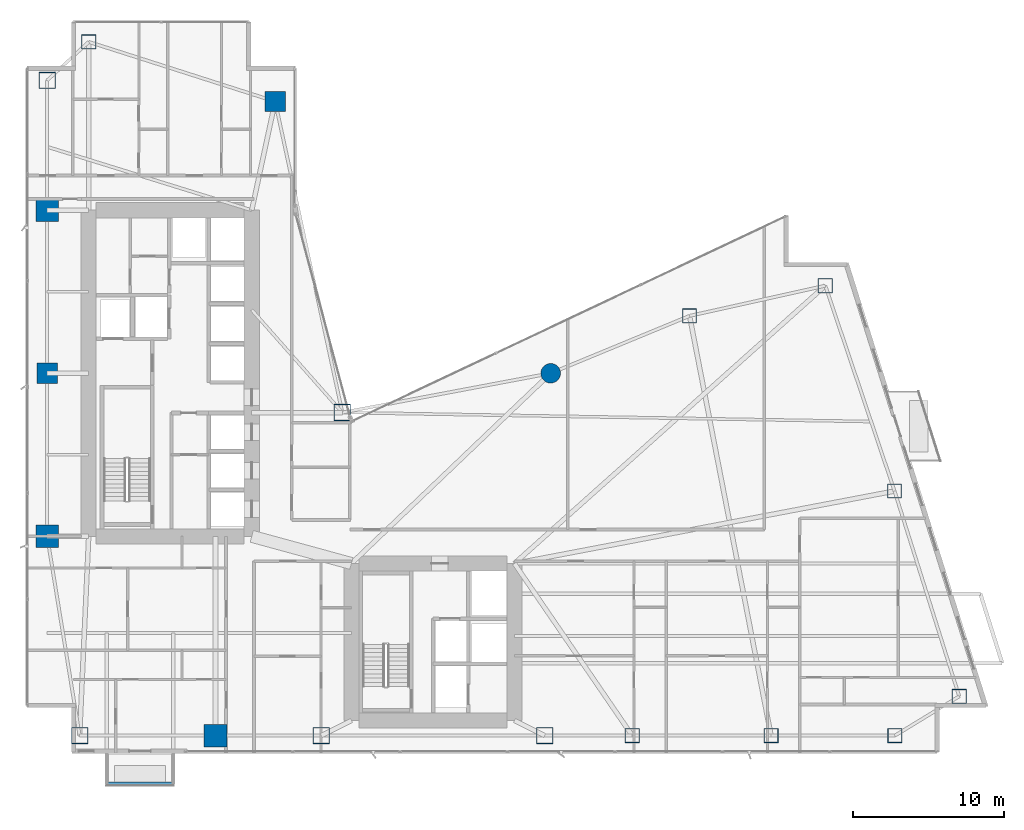
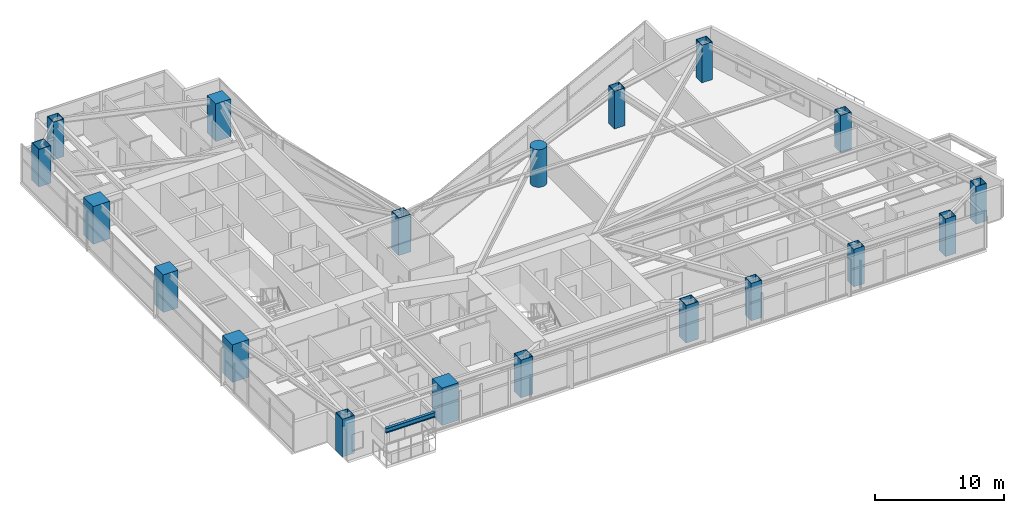
# One storey, part 1 of 29: 19 columns, 1 beam.
"""IFC4 building model written with IfcOpenShell, lengths in metres."""

import ifcopenshell
import ifcopenshell.guid

model = None  # the IFC model being written
_history = None  # IfcOwnerHistory: only IFC2X3 demands one
_inside = {}  # id of a spatial element -> (the spatial element, [elements in it])
_under = {}  # id of a project, library or spatial element -> (it, [spatial elements below it])
_declared = {}  # id of a project -> (the project, [libraries it declares])
_typed = {}  # id of a type object -> (the type object, [elements of that type])
_made_of = {}  # id of a material, layer set ... -> (it, [elements and type objects made of it])


def new_model(schema):
    """Start an empty IFC model of exactly this schema.

    Asked for "IFC4X3", IfcOpenShell would pick the latest addendum, in which some entities
    have other attributes; the version numbers below select the first issue.
    IFC2X3 requires an IfcOwnerHistory on every rooted entity: one is made here for all.
    """
    global model, _history
    if schema == "IFC4X3":
        model = ifcopenshell.file(schema_version=(4, 3, 0, 0))
    else:
        model = ifcopenshell.file(schema=schema)
    _inside.clear()
    _under.clear()
    _declared.clear()
    _typed.clear()
    _made_of.clear()
    _history = None
    if model.schema == "IFC2X3":
        org = make("IfcOrganization", Name="unknown")
        user = make(
            "IfcPersonAndOrganization",
            ThePerson=make("IfcPerson", FamilyName="unknown"),
            TheOrganization=org,
        )
        app = make(
            "IfcApplication",
            ApplicationDeveloper=org,
            Version="unknown",
            ApplicationFullName="unknown",
            ApplicationIdentifier="unknown",
        )
        _history = make(
            "IfcOwnerHistory",
            OwningUser=user,
            OwningApplication=app,
            ChangeAction="ADDED",
            CreationDate=0,
        )
    return model


def make(cls, **values):
    """One entity of the class cls with the attributes given. An attribute that is None is left unset."""
    return model.create_entity(
        cls, **{name: value for name, value in values.items() if value is not None}
    )


def rooted(cls, **values):
    """An entity with a GlobalId (a new one), such as an element, a storey or a relation."""
    return make(cls, GlobalId=ifcopenshell.guid.new(), OwnerHistory=_history, **values)


def si_unit(unit_type, name, prefix=None):
    """IfcSIUnit, for example si_unit("LENGTHUNIT", "METRE", prefix="MILLI")."""
    return make("IfcSIUnit", UnitType=unit_type, Prefix=prefix, Name=name)


def assignment(units):
    """IfcUnitAssignment: the units of a project."""
    return None if units is None else make("IfcUnitAssignment", Units=units)


def point(xyz):
    """IfcCartesianPoint."""
    return None if xyz is None else make("IfcCartesianPoint", Coordinates=xyz)


def direction(xyz):
    """IfcDirection."""
    return None if xyz is None else make("IfcDirection", DirectionRatios=xyz)


def frame(location, z_axis=None, x_axis=None):
    """IfcAxis2Placement3D, a coordinate frame: its origin and axes. An axis left out is left unset."""
    return make(
        "IfcAxis2Placement3D",
        Location=point(location),
        Axis=direction(z_axis),
        RefDirection=direction(x_axis),
    )


def frame_2d(location, x_axis=None):
    """IfcAxis2Placement2D, a coordinate frame in the plane: its origin and x axis."""
    return make(
        "IfcAxis2Placement2D", Location=point(location), RefDirection=direction(x_axis)
    )


def origin():
    """The frame at (0, 0, 0) with its axes left unset."""
    return frame((0.0, 0.0, 0.0))


def origin_2d():
    """The frame at (0, 0) in the plane with its x axis left unset."""
    return frame_2d((0.0, 0.0))


def place(relative_to, where):
    """IfcLocalPlacement: puts the frame where relative to a parent placement (None: the world)."""
    return make(
        "IfcLocalPlacement", PlacementRelTo=relative_to, RelativePlacement=where
    )


def context(
    kind, dimensions, precision=None, world=None, true_north=None, identifier=None
):
    """IfcGeometricRepresentationContext, for example the 3D "Model" context."""
    return make(
        "IfcGeometricRepresentationContext",
        ContextIdentifier=identifier,
        ContextType=kind,
        CoordinateSpaceDimension=dimensions,
        Precision=precision,
        WorldCoordinateSystem=world,
        TrueNorth=true_north,
    )


def subcontext(parent, identifier, kind, view, scale=None):
    """IfcGeometricRepresentationSubContext, for example "Body" below "Model"."""
    return make(
        "IfcGeometricRepresentationSubContext",
        ContextIdentifier=identifier,
        ContextType=kind,
        ParentContext=parent,
        TargetScale=scale,
        TargetView=view,
    )


def project(units=None, contexts=None):
    """IfcProject with its units and contexts."""
    return rooted(
        "IfcProject",
        Name="project",
        RepresentationContexts=contexts,
        UnitsInContext=assignment(units),
    )


def spatial(cls, under=None, at=None, **own):
    """A site, building, storey or space (cls), placed at a placement, below another one or the project."""
    s = rooted(cls, ObjectPlacement=at, **own)
    if under is not None:
        _under.setdefault(under.id(), (under, []))[1].append(s)
    return s


def profile(cls, at=None, kind="AREA", **sizes):
    """A parametric profile (cls). Its sizes go by their IFC names, for example OverallWidth=200.0."""
    return make(cls, ProfileType=kind, Position=at, **sizes)


def rectangle(**sizes):
    """IfcRectangleProfileDef."""
    return profile("IfcRectangleProfileDef", **sizes)


def hollow_rectangle(**sizes):
    """IfcRectangleHollowProfileDef."""
    return profile("IfcRectangleHollowProfileDef", **sizes)


def circle(**sizes):
    """IfcCircleProfileDef."""
    return profile("IfcCircleProfileDef", **sizes)


def i_section(**sizes):
    """IfcIShapeProfileDef."""
    return profile("IfcIShapeProfileDef", **sizes)


def extrude(swept, where, along, depth):
    """IfcExtrudedAreaSolid: the profile swept, set in the frame where, extruded along a direction by depth."""
    return make(
        "IfcExtrudedAreaSolid",
        SweptArea=swept,
        Position=where,
        ExtrudedDirection=direction(along),
        Depth=depth,
    )


def shape(context_of_items, identifier, shape_type, items):
    """IfcShapeRepresentation: the items that make up one representation, for example the "Body"."""
    return make(
        "IfcShapeRepresentation",
        ContextOfItems=context_of_items,
        RepresentationIdentifier=identifier,
        RepresentationType=shape_type,
        Items=items,
    )


def material(Name=None, Category=None):
    """IfcMaterial."""
    return make("IfcMaterial", Name=Name, Category=Category)


def material_profile(
    of_material, cross_section, Name=None, Category=None, Priority=None
):
    """IfcMaterialProfile: a cross section and its material."""
    return make(
        "IfcMaterialProfile",
        Name=Name,
        Material=of_material,
        Profile=cross_section,
        Priority=Priority,
        Category=Category,
    )


def profile_set(profiles, Name=None, composite=None):
    """IfcMaterialProfileSet."""
    return make(
        "IfcMaterialProfileSet",
        Name=Name,
        MaterialProfiles=profiles,
        CompositeProfile=composite,
    )


def made_of(thing, what):
    """Note that an element or type object is made of a material, layer set ...; save() writes the relation."""
    if what is not None:
        _made_of.setdefault(what.id(), (what, []))[1].append(thing)
    return thing


def type_object(cls, material=None, **own):
    """A type object (cls), such as IfcWallType, which elements share."""
    return made_of(rooted(cls, **own), material)


def element(
    cls,
    number,
    at=None,
    inside=None,
    cuts=None,
    type_object=None,
    material=None,
    context=None,
    identifier="Body",
    shape_type=None,
    held_by="IfcProductDefinitionShape",
    body=None,
    shapes=None,
    **own,
):
    """One element of the class cls, such as IfcWall. Its Tag is "e" and its number.

    at: its placement. inside: the storey or other place that contains it. cuts: it is an
    opening in that element (IfcRelVoidsElement). A single representation is given by context,
    identifier, shape_type and body (its items); several are given by shapes. held_by: the class
    of the entity that holds the representations. save() writes the other relations.
    """
    e = rooted(cls, Tag="e%d" % number, ObjectPlacement=at, **own)
    if body is not None:
        shapes = [shape(context, identifier, shape_type, body)]
    if shapes is not None:
        e.Representation = make(held_by, Representations=shapes)
    if inside is not None:
        _inside.setdefault(inside.id(), (inside, []))[1].append(e)
    if cuts is not None:
        rooted(
            "IfcRelVoidsElement", RelatingBuildingElement=cuts, RelatedOpeningElement=e
        )
    if type_object is not None:
        _typed.setdefault(type_object.id(), (type_object, []))[1].append(e)
    return made_of(e, material)


def aggregate(whole, parts):
    """IfcRelAggregates: a whole, such as a stair, and the parts it consists of."""
    return rooted("IfcRelAggregates", RelatingObject=whole, RelatedObjects=parts)


def save(model, path):
    """Write the relations noted so far, then the file.

    IfcRelAggregates (storeys below a building ...), IfcRelContainedInSpatialStructure (elements
    in a storey), IfcRelDefinesByType, IfcRelAssociatesMaterial and IfcRelDeclares: one each for
    every whole, place, type object, material and project.
    """
    for whole, parts in _under.values():
        aggregate(whole, parts)
    for where, things in _inside.values():
        rooted(
            "IfcRelContainedInSpatialStructure",
            RelatedElements=things,
            RelatingStructure=where,
        )
    for kind, things in _typed.values():
        rooted("IfcRelDefinesByType", RelatedObjects=things, RelatingType=kind)
    for what, things in _made_of.values():
        rooted("IfcRelAssociatesMaterial", RelatedObjects=things, RelatingMaterial=what)
    for by, libraries in _declared.values():
        rooted("IfcRelDeclares", RelatingContext=by, RelatedDefinitions=libraries)
    model.write(path)


model = new_model("IFC4")

# Units and contexts
model_context = context("Model", 3, precision=1e-05, world=origin(), true_north=direction((0.0, 1.0)))
body_context = subcontext(model_context, "Body", "Model", "MODEL_VIEW")
ifc_project = project(units=[si_unit("LENGTHUNIT", "METRE"), si_unit("AREAUNIT", "SQUARE_METRE"), si_unit("VOLUMEUNIT", "CUBIC_METRE"), si_unit("PLANEANGLEUNIT", "RADIAN"), si_unit("MASSUNIT", "GRAM", prefix="KILO")], contexts=[model_context])

# Site, building, storey
site_placement = place(None, origin())
site = spatial("IfcSite", under=ifc_project, at=site_placement, CompositionType="ELEMENT")
building_placement = place(site_placement, origin())
building = spatial("IfcBuilding", under=site, at=building_placement, Name="Calvorn Quay Hotel", CompositionType="ELEMENT")
storey_placement = place(building_placement, frame((0.0, 0.0, 69.800048828125)))
storey = spatial("IfcBuildingStorey", under=building, at=storey_placement, Name="L16", CompositionType="ELEMENT", Elevation=69.800048828125)

# Columns
ifc_material_1 = material(Name="Concrete C60", Category="concrete")
ifc_material_profile_1 = material_profile(ifc_material_1, rectangle(XDim=1.35009765625, YDim=1.35009765625, at=origin_2d()), Name="RC1350x1350")
ifc_profile_set_1 = profile_set([ifc_material_profile_1], Name="Concrete C60")
column_type_1 = type_object("IfcColumnType", Name="COL-RC-1350", PredefinedType="COLUMN", material=ifc_profile_set_1)
for number, where, z_axis, x_axis, name in (
    (1, (1.449951171875, 27.60009765625, 0.0), (0.0, 0.0, 1.0), (1.0, 0.0, 0.0), "Column C-W3 (L16)"),
    (2, (16.550048828125, 45.60009765625, 0.0), (0.0, 0.0, 1.0), (1.0, 0.0, 0.0), "Column C-IC1 (L16)"),
):
    element("IfcColumn", number, at=place(storey_placement, frame(where, z_axis=z_axis, x_axis=x_axis)), inside=storey, type_object=column_type_1, Name=name, PredefinedType="COLUMN", context=body_context, shape_type="SweptSolid", body=[
        extrude(rectangle(XDim=1.35009765625, YDim=1.35009765625, at=origin_2d()), origin(), (0.0, 0.0, 1.0), 3.56005859375),
    ])
ifc_material_2 = material(Name="Concrete C60", Category="concrete")
ifc_material_profile_2 = material_profile(ifc_material_2, rectangle(XDim=1.5, YDim=1.5, at=origin_2d()), Name="RC1500x1500")
ifc_profile_set_2 = profile_set([ifc_material_profile_2], Name="Concrete C60")
column_type_2 = type_object("IfcColumnType", Name="COL-RC-1500", PredefinedType="COLUMN", material=ifc_profile_set_2)
for number, where, z_axis, x_axis, name in (
    (3, (1.449951171875, 16.800048828125, 0.0), (0.0, 0.0, 1.0), (1.0, 0.0, 0.0), "Column C-W2 (L16)"),
    (4, (1.449951171875, 38.39990234375, 0.0), (0.0, 0.0, 1.0), (1.0, 0.0, 0.0), "Column C-W4 (L16)"),
    (5, (12.60009765625, 3.60009765625, 0.0), (0.0, 0.0, 1.0), (1.0, 0.0, 0.0), "Column C-S1 (L16)"),
):
    element("IfcColumn", number, at=place(storey_placement, frame(where, z_axis=z_axis, x_axis=x_axis)), inside=storey, type_object=column_type_2, Name=name, PredefinedType="COLUMN", context=body_context, shape_type="SweptSolid", body=[
        extrude(rectangle(XDim=1.5, YDim=1.5, at=origin_2d()), origin(), (0.0, 0.0, 1.0), 3.56005859375),
    ])
ifc_material_3 = material(Name="Concrete C60", Category="concrete")
ifc_material_profile_3 = material_profile(ifc_material_3, circle(Radius=0.64990234375, at=origin_2d()), Name="RCD1300")
ifc_profile_set_3 = profile_set([ifc_material_profile_3], Name="Concrete C60")
column_type_3 = type_object("IfcColumnType", Name="COL-RC-D1300", PredefinedType="COLUMN", material=ifc_profile_set_3)
column_placement = place(storey_placement, frame((34.800048828125, 27.60009765625, 0.0), z_axis=(0.0, 0.0, 1.0), x_axis=(1.0, 0.0, 0.0)))
element("IfcColumn", 6, at=column_placement, inside=storey, type_object=column_type_3, Name="Column C-NC1 (L16)", PredefinedType="COLUMN", context=body_context, shape_type="SweptSolid", body=[
    extrude(circle(Radius=0.64990234375, at=origin_2d()), origin(), (0.0, 0.0, 1.0), 3.56005859375),
])
ifc_material_4 = material(Name="Steel Q420GJC", Category="steel")
ifc_material_profile_4 = material_profile(ifc_material_4, hollow_rectangle(XDim=1.10009765625, YDim=1.10009765625, WallThickness=0.044921875, at=origin_2d()), Name="BOX1100x1100x45")
ifc_profile_set_4 = profile_set([ifc_material_profile_4], Name="Steel Q420GJC")
column_type_4 = type_object("IfcColumnType", Name="COL-STL-MEGA1", PredefinedType="COLUMN", material=ifc_profile_set_4)
for number, where, z_axis, x_axis, name in (
    (7, (3.60009765625, 3.60009765625, 0.0), (0.0, 0.0, 1.0), (1.0, 0.0, 0.0), "Column C-W1 (L16)"),
    (8, (1.449951171875, 47.0, 0.0), (0.0, 0.0, 1.0), (1.0, 0.0, 0.0), "Column C-W5 (L16)"),
    (9, (21.0, 25.0, 0.0), (0.0, 0.0, 1.0), (1.0, 0.0, 0.0), "Column C-IC2 (L16)"),
    (10, (19.60009765625, 3.60009765625, 0.0), (0.0, 0.0, 1.0), (1.0, 0.0, 0.0), "Column C-S2 (L16)"),
    (11, (34.39990234375, 3.60009765625, 0.0), (0.0, 0.0, 1.0), (1.0, 0.0, 0.0), "Column C-S3 (L16)"),
):
    element("IfcColumn", number, at=place(storey_placement, frame(where, z_axis=z_axis, x_axis=x_axis)), inside=storey, type_object=column_type_4, Name=name, PredefinedType="COLUMN", context=body_context, shape_type="SweptSolid", body=[
        extrude(hollow_rectangle(XDim=1.10009765625, YDim=1.10009765625, WallThickness=0.044921875, at=origin_2d()), origin(), (0.0, 0.0, 1.0), 3.56005859375),
    ])
ifc_material_5 = material(Name="Steel Q420GJC", Category="steel")
ifc_material_profile_5 = material_profile(ifc_material_5, hollow_rectangle(XDim=0.949951171875, YDim=0.949951171875, WallThickness=0.0400390625, at=origin_2d()), Name="BOX950x950x40")
ifc_profile_set_5 = profile_set([ifc_material_profile_5], Name="Steel Q420GJC")
column_type_5 = type_object("IfcColumnType", Name="COL-STL-MEGA2", PredefinedType="COLUMN", material=ifc_profile_set_5)
for number, where, z_axis, x_axis, name in (
    (12, (4.199951171875, 49.550048828125, 0.0), (0.0, 0.0, 1.0), (1.0, 0.0, 0.0), "Column C-NW1 (L16)"),
    (13, (40.199951171875, 3.60009765625, 0.0), (0.0, 0.0, 1.0), (1.0, 0.0, 0.0), "Column C-S4 (L16)"),
    (14, (49.39990234375, 3.60009765625, 0.0), (0.0, 0.0, 1.0), (1.0, 0.0, 0.0), "Column C-S5 (L16)"),
    (15, (57.60009765625, 3.60009765625, 0.0), (0.0, 0.0, 1.0), (1.0, 0.0, 0.0), "Column C-S6 (L16)"),
    (16, (44.0, 31.39990234375, 0.0), (0.0, 0.0, 1.0), (1.0, 0.0, 0.0), "Column C-NC2 (L16)"),
    (17, (61.861083984375, 6.199951171875, 0.0), (0.0, 0.0, 1.0), (1.0, 0.0, 0.0), "Column C-ET1 (L16)"),
    (18, (57.575927734375, 19.800048828125, 0.0), (0.0, 0.0, 1.0), (1.0, 0.0, 0.0), "Column C-ET2 (L16)"),
    (19, (52.990966796875, 33.39990234375, 0.0), (0.0, 0.0, 1.0), (1.0, 0.0, 0.0), "Column C-ET3 (L16)"),
):
    element("IfcColumn", number, at=place(storey_placement, frame(where, z_axis=z_axis, x_axis=x_axis)), inside=storey, type_object=column_type_5, Name=name, PredefinedType="COLUMN", context=body_context, shape_type="SweptSolid", body=[
        extrude(hollow_rectangle(XDim=0.949951171875, YDim=0.949951171875, WallThickness=0.0400390625, at=origin_2d()), origin(), (0.0, 0.0, 1.0), 3.56005859375),
    ])

# Beam
ifc_material_6 = material(Name="Steel Q355B", Category="steel")
ifc_material_profile_6 = material_profile(ifc_material_6, i_section(OverallWidth=0.25, OverallDepth=0.449951171875, WebThickness=0.011962890625, FlangeThickness=0.01611328125, FilletRadius=0.01611328125, at=origin_2d()), Name="HN450x250x12x16")
ifc_profile_set_6 = profile_set([ifc_material_profile_6], Name="Steel Q355B")
beam_type = type_object("IfcBeamType", Name="BM-CANT-BALC", PredefinedType="BEAM", material=ifc_profile_set_6)
beam_placement = place(storey_placement, frame((5.39990234375, 0.409912109375, 3.31494140625), z_axis=(1.0, 0.0, 0.0), x_axis=(0.0, 1.0, 0.0)))
element("IfcBeam", 20, at=beam_placement, inside=storey, type_object=beam_type, Name="Beam BCBO-L17-2", PredefinedType="BEAM", context=body_context, shape_type="SweptSolid", body=[
    extrude(i_section(OverallWidth=0.25, OverallDepth=0.449951171875, WebThickness=0.011962890625, FlangeThickness=0.01611328125, FilletRadius=0.01611328125, at=origin_2d()), origin(), (0.0, 0.0, 1.0), 4.400146484375),
])

save(model, "model.ifc")
